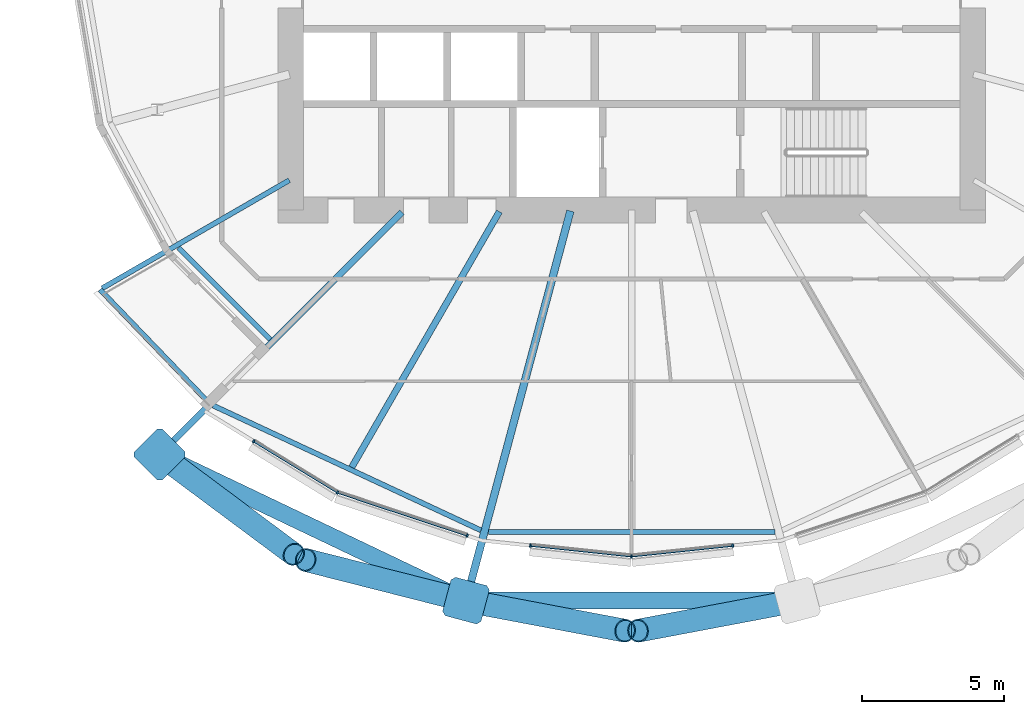
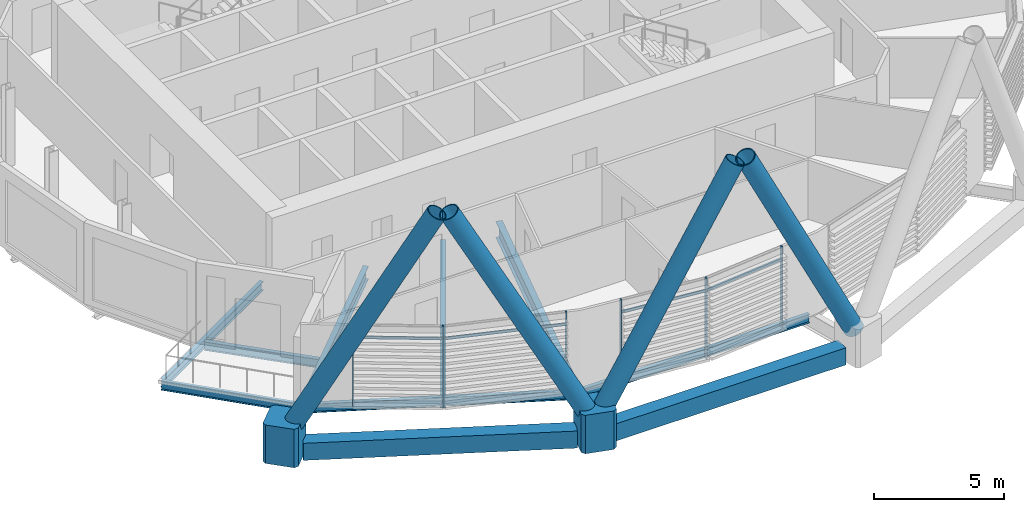
# One storey, part 3 of 34: 16 members, 10 beams, 1 element without a shape of its own.
"""IFC4 building model written with IfcOpenShell, lengths in metres."""

from ifc_helpers import new_model, si_unit, direction, frame, origin, origin_2d, place, context, subcontext, project, spatial, polyline, rectangle, hollow_rectangle, hollow_circle, i_section, outline, extrude, material, material_profile, profile_set, type_object, element, aggregate, save


model = new_model("IFC4")

# Units and contexts
model_context = context("Model", 3, precision=1e-05, world=origin(), true_north=direction((0.0, 1.0)))
body_context = subcontext(model_context, "Body", "Model", "MODEL_VIEW")
ifc_project = project(units=[si_unit("LENGTHUNIT", "METRE"), si_unit("AREAUNIT", "SQUARE_METRE"), si_unit("VOLUMEUNIT", "CUBIC_METRE"), si_unit("PLANEANGLEUNIT", "RADIAN"), si_unit("MASSUNIT", "GRAM", prefix="KILO")], contexts=[model_context])

# Site, building, storey
site_placement = place(None, origin())
site = spatial("IfcSite", under=ifc_project, at=site_placement, CompositionType="ELEMENT")
building_placement = place(site_placement, origin())
building = spatial("IfcBuilding", under=site, at=building_placement, Name="Rimbun Link Towers", CompositionType="ELEMENT")
storey_placement = place(building_placement, frame((0.0, 0.0, 41.39990234375)))
storey = spatial("IfcBuildingStorey", under=building, at=storey_placement, Name="L09", CompositionType="ELEMENT", Elevation=41.39990234375)

# Curtain wall, members
ifc_material_1 = material(Name="Aluminium 6063-T6 and low-iron glass", Category="aluminium")
curtain_wall_type = type_object("IfcCurtainWallType", Name="CW1 unitised vision wall", PredefinedType="NOTDEFINED", material=ifc_material_1)
curtain_wall_placement = place(storey_placement, origin())
curtain_wall = element("IfcCurtainWall", 1, at=curtain_wall_placement, inside=storey, type_object=curtain_wall_type, Name="CW1 L09 T1", PredefinedType="NOTDEFINED")
ifc_material_2 = material(Name="Aluminium 6063-T6", Category="aluminium")
ifc_material_profile_1 = material_profile(ifc_material_2, rectangle(XDim=0.1201171875, YDim=0.06005859375, at=origin_2d()), Name="MULLION 60X120")
ifc_profile_set_1 = profile_set([ifc_material_profile_1], Name="Aluminium 6063-T6")
member_type_1 = type_object("IfcMemberType", Name="CW1 mullion 60X120", PredefinedType="MULLION", material=ifc_profile_set_1)
member_1_placement = place(storey_placement, frame((-42.103759765625, -17.944091796875, 0.0), z_axis=(0.0, 0.0, 1.0), x_axis=(-0.421700623213, -0.906735123607, 0.0)))
member_1 = element("IfcMember", 2, at=member_1_placement, type_object=member_type_1, Name="CW1 mullion", PredefinedType="MULLION", context=body_context, shape_type="SweptSolid", body=[
    extrude(rectangle(XDim=0.1201171875, YDim=0.06005859375, at=origin_2d()), origin(), (0.0, 0.0, 1.0), 3.800048828125),
])
member_2_placement = place(storey_placement, frame((-45.047607421875, -16.136962890625, 0.0), z_axis=(0.0, 0.0, 1.0), x_axis=(-0.523240552823, -0.852185029135, 0.0)))
member_2 = element("IfcMember", 3, at=member_2_placement, type_object=member_type_1, Name="CW1 mullion", PredefinedType="MULLION", context=body_context, shape_type="SweptSolid", body=[
    extrude(rectangle(XDim=0.1201171875, YDim=0.06005859375, at=origin_2d()), origin(), (0.0, 0.0, 1.0), 3.800048828125),
])
member_3_placement = place(storey_placement, frame((-37.535888671875, -19.458251953125, 0.0), z_axis=(0.0, 0.0, 1.0), x_axis=(-0.314557949572, -0.949238271648, 0.0)))
member_3 = element("IfcMember", 4, at=member_3_placement, type_object=member_type_1, Name="CW1 mullion", PredefinedType="MULLION", context=body_context, shape_type="SweptSolid", body=[
    extrude(rectangle(XDim=0.1201171875, YDim=0.06005859375, at=origin_2d()), origin(), (0.0, 0.0, 1.0), 3.800048828125),
])
member_4_placement = place(storey_placement, frame((-31.75, -20.1865234375, 0.0), z_axis=(0.0, 0.0, 1.0), x_axis=(0.0, -1.0, 0.0)))
member_4 = element("IfcMember", 5, at=member_4_placement, type_object=member_type_1, Name="CW1 mullion", PredefinedType="MULLION", context=body_context, shape_type="SweptSolid", body=[
    extrude(rectangle(XDim=0.1201171875, YDim=0.06005859375, at=origin_2d()), origin(), (0.0, 0.0, 1.0), 3.800048828125),
])
member_5_placement = place(storey_placement, frame((-35.310546875, -19.81201171875, 0.0), z_axis=(0.0, 0.0, 1.0), x_axis=(-0.104742031783, -0.994499425228, 0.0)))
member_5 = element("IfcMember", 6, at=member_5_placement, type_object=member_type_1, Name="CW1 mullion", PredefinedType="MULLION", context=body_context, shape_type="SweptSolid", body=[
    extrude(rectangle(XDim=0.1201171875, YDim=0.06005859375, at=origin_2d()), origin(), (0.0, 0.0, 1.0), 3.800048828125),
])
member_6_placement = place(storey_placement, frame((-28.189453125, -19.81201171875, 0.0), z_axis=(0.0, 0.0, 1.0), x_axis=(0.104742031783, -0.994499425228, 0.0)))
member_6 = element("IfcMember", 7, at=member_6_placement, type_object=member_type_1, Name="CW1 mullion", PredefinedType="MULLION", context=body_context, shape_type="SweptSolid", body=[
    extrude(rectangle(XDim=0.1201171875, YDim=0.06005859375, at=origin_2d()), origin(), (0.0, 0.0, 1.0), 3.800048828125),
])
ifc_material_3 = material(Name="Aluminium 6063-T6", Category="aluminium")
ifc_material_profile_2 = material_profile(ifc_material_3, rectangle(XDim=0.06005859375, YDim=0.1201171875, at=origin_2d()), Name="TRANSOM 60X120")
ifc_profile_set_2 = profile_set([ifc_material_profile_2], Name="Aluminium 6063-T6")
member_type_2 = type_object("IfcMemberType", Name="CW1 transom 60X120", PredefinedType="USERDEFINED", material=ifc_profile_set_2)
member_7_placement = place(storey_placement, frame((-42.134521484375, -17.92333984375, 3.2001953125), z_axis=(-0.852162767793, 0.523276807424, 0.0), x_axis=(-0.523276807424, -0.852162767793, 0.0)))
member_7 = element("IfcMember", 8, at=member_7_placement, type_object=member_type_2, Name="CW1 transom", ObjectType="TRANSOM", PredefinedType="USERDEFINED", context=body_context, shape_type="SweptSolid", body=[
    extrude(rectangle(XDim=0.06005859375, YDim=0.1201171875, at=origin_2d()), origin(), (0.0, 0.0, 1.0), 3.38720703125),
])
member_8_placement = place(storey_placement, frame((-37.563720703125, -19.44677734375, 3.2001953125), z_axis=(-0.94924257517, 0.314544962581, 0.0), x_axis=(-0.314544962581, -0.94924257517, 0.0)))
member_8 = element("IfcMember", 9, at=member_8_placement, type_object=member_type_2, Name="CW1 transom", ObjectType="TRANSOM", PredefinedType="USERDEFINED", context=body_context, shape_type="SweptSolid", body=[
    extrude(rectangle(XDim=0.06005859375, YDim=0.1201171875, at=origin_2d()), origin(), (0.0, 0.0, 1.0), 4.74560546875),
])
member_9_placement = place(storey_placement, frame((-31.785888671875, -20.18115234375, 3.2001953125), z_axis=(-0.994496312409, 0.104771583004, 0.0), x_axis=(-0.104771583004, -0.994496312409, 0.0)))
member_9 = element("IfcMember", 10, at=member_9_placement, type_object=member_type_2, Name="CW1 transom", ObjectType="TRANSOM", PredefinedType="USERDEFINED", context=body_context, shape_type="SweptSolid", body=[
    extrude(rectangle(XDim=0.06005859375, YDim=0.1201171875, at=origin_2d()), origin(), (0.0, 0.0, 1.0), 3.513916015625),
])
member_10_placement = place(storey_placement, frame((-28.219482421875, -19.81298828125, 3.2001953125), z_axis=(-0.994496312409, -0.104771583004, 0.0), x_axis=(0.104771583004, -0.994496312409, 0.0)))
member_10 = element("IfcMember", 11, at=member_10_placement, type_object=member_type_2, Name="CW1 transom", ObjectType="TRANSOM", PredefinedType="USERDEFINED", context=body_context, shape_type="SweptSolid", body=[
    extrude(rectangle(XDim=0.06005859375, YDim=0.1201171875, at=origin_2d()), origin(), (0.0, 0.0, 1.0), 3.513916015625),
])
aggregate(curtain_wall, [member_1, member_2, member_3, member_4, member_5, member_6, member_7, member_8, member_9, member_10])

# Members
ifc_material_4 = material(Name="Steel S460NH", Category="steel")
ifc_material_profile_3 = material_profile(ifc_material_4, hollow_circle(Radius=0.406494140625, WallThickness=0.0400390625, at=origin_2d()), Name="Diagrid diagonal CHS 813x40")
ifc_profile_set_3 = profile_set([ifc_material_profile_3], Name="Steel S460NH")
member_type_3 = type_object("IfcMemberType", Name="Diagrid diagonal CHS 813x40", PredefinedType="BRACE", material=ifc_profile_set_3)
member_11_placement = place(storey_placement, frame((-48.16455078125, -16.745361328125, 0.440673828125), z_axis=(0.379351487033, -0.282417468244, 0.881097510448), x_axis=(0.597159611982, 0.802122433184, 0.0)))
element("IfcMember", 12, at=member_11_placement, inside=storey, type_object=member_type_3, Name="Diagrid diagonal T1 L09-L12 15b", PredefinedType="BRACE", context=body_context, shape_type="SweptSolid", body=[
    extrude(hollow_circle(Radius=0.406494140625, WallThickness=0.0400390625, at=origin_2d()), origin(), (0.0, 0.0, 1.0), 11.938232421875),
])
member_12_placement = place(storey_placement, frame((-37.804443359375, -21.68994140625, 0.441650390625), z_axis=(-0.454668087389, 0.115384046346, 0.88315539525), x_axis=(-0.245979182383, -0.969275111531, 0.0)))
element("IfcMember", 13, at=member_12_placement, inside=storey, type_object=member_type_3, Name="Diagrid diagonal T1 L09-L12 17a", PredefinedType="BRACE", context=body_context, shape_type="SweptSolid", body=[
    extrude(hollow_circle(Radius=0.406494140625, WallThickness=0.0400390625, at=origin_2d()), origin(), (0.0, 0.0, 1.0), 11.908203125),
])
for number, where, z_axis, x_axis, name in (
    (14, (-37.3505859375, -21.79052734375, 0.443603515625), (0.453469931665, -0.085704189529, 0.88714137147), (0.185708785705, 0.982604827442, 0.0), "Diagrid diagonal T1 L09-L12 17b"),
    (15, (-26.1494140625, -21.79052734375, 0.443603515625), (-0.453469931665, -0.085704189529, 0.88714137147), (0.185708785705, -0.982604827442, 0.0), "Diagrid diagonal T1 L09-L12 19a"),
):
    element("IfcMember", number, at=place(storey_placement, frame(where, z_axis=z_axis, x_axis=x_axis)), inside=storey, type_object=member_type_3, Name=name, PredefinedType="BRACE", context=body_context, shape_type="SweptSolid", body=[
        extrude(hollow_circle(Radius=0.406494140625, WallThickness=0.0400390625, at=origin_2d()), origin(), (0.0, 0.0, 1.0), 11.850341796875),
    ])
ifc_material_5 = material(Name="Cast steel G20Mn5+QT, Rp0.2 300 MPa", Category="steel")
ifc_material_profile_4 = material_profile(ifc_material_5, outline(polyline([(0.699951171875, -0.570068359375), (0.699951171875, 0.570068359375), (0.570068359375, 0.699951171875), (-0.570068359375, 0.699951171875), (-0.699951171875, 0.570068359375), (-0.699951171875, -0.570068359375), (-0.570068359375, -0.699951171875), (0.570068359375, -0.699951171875), (0.699951171875, -0.570068359375)])), Name="NODE 1400x1400")
ifc_profile_set_4 = profile_set([ifc_material_profile_4], Name="Cast steel G20Mn5+QT, Rp0.2 300 MPa")
member_type_4 = type_object("IfcMemberType", Name="Diagrid node cast 1400", PredefinedType="USERDEFINED", material=ifc_profile_set_4)
for number, where, z_axis, x_axis, name in (
    (16, (-48.354248046875, -16.604248046875, -0.89990234375), (0.0, 0.0, 1.0), (-0.707106781187, -0.707106781187, 0.0), "Diagrid node L09 15"),
    (17, (-37.5771484375, -21.74755859375, -0.89990234375), (0.0, 0.0, 1.0), (-0.258819045103, -0.965925826289, 0.0), "Diagrid node L09 17"),
):
    element("IfcMember", number, at=place(storey_placement, frame(where, z_axis=z_axis, x_axis=x_axis)), inside=storey, type_object=member_type_4, Name=name, ObjectType="Diagrid node", PredefinedType="USERDEFINED", context=body_context, shape_type="SweptSolid", body=[
        extrude(outline(polyline([(0.699951171875, -0.570068359375), (0.699951171875, 0.570068359375), (0.570068359375, 0.699951171875), (-0.570068359375, 0.699951171875), (-0.699951171875, 0.570068359375), (-0.699951171875, -0.570068359375), (-0.570068359375, -0.699951171875), (0.570068359375, -0.699951171875), (0.699951171875, -0.570068359375)])), origin(), (0.0, 0.0, 1.0), 1.800048828125),
    ])

# Beams
ifc_material_6 = material(Name="Steel S355J2", Category="steel")
ifc_material_profile_5 = material_profile(ifc_material_6, hollow_rectangle(XDim=0.60009765625, YDim=0.800048828125, WallThickness=0.0400390625, at=origin_2d()), Name="Exoskeleton ring girder BOX 600x800x40")
ifc_profile_set_5 = profile_set([ifc_material_profile_5], Name="Steel S355J2")
beam_type_1 = type_object("IfcBeamType", Name="Exoskeleton ring girder BOX 600x800x40", PredefinedType="BEAM", material=ifc_profile_set_5)
beam_1_placement = place(storey_placement, frame((-47.722412109375, -16.90576171875, -0.559814453125), z_axis=(0.90248901757, -0.430712866265, 0.0), x_axis=(0.430712866265, 0.90248901757, 0.0)))
element("IfcBeam", 18, at=beam_1_placement, inside=storey, type_object=beam_type_1, Name="Exoskeleton ring girder L09 05", PredefinedType="BEAM", context=body_context, shape_type="SweptSolid", body=[
    extrude(hollow_rectangle(XDim=0.60009765625, YDim=0.800048828125, WallThickness=0.0400390625, at=origin_2d()), origin(), (0.0, 0.0, 1.0), 10.541259765625),
])
beam_2_placement = place(storey_placement, frame((-36.877197265625, -21.74755859375, -0.559814453125), z_axis=(1.0, 0.0, 0.0), x_axis=(0.0, 1.0, 0.0)))
element("IfcBeam", 19, at=beam_2_placement, inside=storey, type_object=beam_type_1, Name="Exoskeleton ring girder L09 06", PredefinedType="BEAM", context=body_context, shape_type="SweptSolid", body=[
    extrude(hollow_rectangle(XDim=0.60009765625, YDim=0.800048828125, WallThickness=0.0400390625, at=origin_2d()), origin(), (0.0, 0.0, 1.0), 10.25439453125),
])
ifc_material_7 = material(Name="Steel S355J2", Category="steel")
ifc_material_profile_6 = material_profile(ifc_material_7, i_section(OverallWidth=0.177978515625, OverallDepth=0.406494140625, WebThickness=0.0078125, FlangeThickness=0.0126953125, at=origin_2d()), Name="UB 406x178x60")
ifc_profile_set_6 = profile_set([ifc_material_profile_6], Name="Steel S355J2")
beam_type_2 = type_object("IfcBeamType", Name="UB 406x178x60", PredefinedType="BEAM", material=ifc_profile_set_6)
beam_3_placement = place(storey_placement, frame((-43.79541015625, -6.954345703125, -0.363037109375), z_axis=(-0.866024000778, -0.50000243007, 0.0), x_axis=(0.50000243007, -0.866024000778, 0.0)))
element("IfcBeam", 20, at=beam_3_placement, inside=storey, type_object=beam_type_2, Name="Radial beam T1 L09 14", PredefinedType="BEAM", context=body_context, shape_type="SweptSolid", body=[
    extrude(i_section(OverallWidth=0.177978515625, OverallDepth=0.406494140625, WebThickness=0.0078125, FlangeThickness=0.0126953125, at=origin_2d()), origin(), (0.0, 0.0, 1.0), 7.5986328125),
])
beam_4_placement = place(storey_placement, frame((-47.68798828125, -9.33203125, -0.363037109375), z_axis=(0.706329402712, -0.707883305965, 0.0), x_axis=(0.707883305965, 0.706329402712, 0.0)))
element("IfcBeam", 21, at=beam_4_placement, inside=storey, type_object=beam_type_2, Name="Edge beam T1 L09 14 recess", PredefinedType="BEAM", context=body_context, shape_type="SweptSolid", body=[
    extrude(i_section(OverallWidth=0.177978515625, OverallDepth=0.406494140625, WebThickness=0.0078125, FlangeThickness=0.0126953125, at=origin_2d()), origin(), (0.0, 0.0, 1.0), 4.556396484375),
])
beam_5_placement = place(storey_placement, frame((-50.45556640625, -10.80078125, -0.363037109375), z_axis=(0.692986597683, -0.720950466698, 0.0), x_axis=(0.720950466698, 0.692986597683, 0.0)))
element("IfcBeam", 22, at=beam_5_placement, inside=storey, type_object=beam_type_2, Name="Edge beam T1 L09 14 terrace", PredefinedType="BEAM", context=body_context, shape_type="SweptSolid", body=[
    extrude(i_section(OverallWidth=0.177978515625, OverallDepth=0.406494140625, WebThickness=0.0078125, FlangeThickness=0.0126953125, at=origin_2d()), origin(), (0.0, 0.0, 1.0), 5.47412109375),
])
beam_6_placement = place(storey_placement, frame((-46.470703125, -14.883056640625, -0.363037109375), z_axis=(0.906396127139, -0.422428764062, 0.0), x_axis=(0.422428764062, 0.906396127139, 0.0)))
element("IfcBeam", 23, at=beam_6_placement, inside=storey, type_object=beam_type_2, Name="Edge beam T1 L09 15-17", PredefinedType="BEAM", context=body_context, shape_type="SweptSolid", body=[
    extrude(i_section(OverallWidth=0.177978515625, OverallDepth=0.406494140625, WebThickness=0.0078125, FlangeThickness=0.0126953125, at=origin_2d()), origin(), (0.0, 0.0, 1.0), 10.390380859375),
])
beam_7_placement = place(storey_placement, frame((-36.790283203125, -19.32958984375, -0.363037109375), z_axis=(1.0, 0.0, 0.0), x_axis=(0.0, 1.0, 0.0)))
element("IfcBeam", 24, at=beam_7_placement, inside=storey, type_object=beam_type_2, Name="Edge beam T1 L09 17-19", PredefinedType="BEAM", context=body_context, shape_type="SweptSolid", body=[
    extrude(i_section(OverallWidth=0.177978515625, OverallDepth=0.406494140625, WebThickness=0.0078125, FlangeThickness=0.0126953125, at=origin_2d()), origin(), (0.0, 0.0, 1.0), 10.08056640625),
])
ifc_material_8 = material(Name="Steel S355J2", Category="steel")
ifc_material_profile_7 = material_profile(ifc_material_8, i_section(OverallWidth=0.2275390625, OverallDepth=0.6025390625, WebThickness=0.010498046875, FlangeThickness=0.014892578125, at=origin_2d()), Name="UB 610x229x101")
ifc_profile_set_7 = profile_set([ifc_material_profile_7], Name="Steel S355J2")
beam_type_3 = type_object("IfcBeamType", Name="UB 610x229x101", PredefinedType="BEAM", material=ifc_profile_set_7)
beam_8_placement = place(storey_placement, frame((-39.831298828125, -8.081298828125, -0.461181640625), z_axis=(-0.707106781187, -0.707106781187, 0.0), x_axis=(0.707106781187, -0.707106781187, 0.0)))
element("IfcBeam", 25, at=beam_8_placement, inside=storey, type_object=beam_type_3, Name="Radial beam T1 L09 15", PredefinedType="BEAM", context=body_context, shape_type="SweptSolid", body=[
    extrude(i_section(OverallWidth=0.2275390625, OverallDepth=0.6025390625, WebThickness=0.010498046875, FlangeThickness=0.014892578125, at=origin_2d()), origin(), (0.0, 0.0, 1.0), 11.552978515625),
])
beam_9_placement = place(storey_placement, frame((-36.402099609375, -8.057861328125, -0.461181640625), z_axis=(-0.499998423118, -0.866026314196, 0.0), x_axis=(0.866026314196, -0.499998423118, 0.0)))
element("IfcBeam", 26, at=beam_9_placement, inside=storey, type_object=beam_type_3, Name="Radial beam T1 L09 16", PredefinedType="BEAM", context=body_context, shape_type="SweptSolid", body=[
    extrude(i_section(OverallWidth=0.2275390625, OverallDepth=0.6025390625, WebThickness=0.010498046875, FlangeThickness=0.014892578125, at=origin_2d()), origin(), (0.0, 0.0, 1.0), 10.38916015625),
])
ifc_material_9 = material(Name="Steel S355J2", Category="steel")
ifc_material_profile_8 = material_profile(ifc_material_9, i_section(OverallWidth=0.2666015625, OverallDepth=0.76220703125, WebThickness=0.014404296875, FlangeThickness=0.021484375, at=origin_2d()), Name="UB 762x267x173")
ifc_profile_set_8 = profile_set([ifc_material_profile_8], Name="Steel S355J2")
beam_type_4 = type_object("IfcBeamType", Name="UB 762x267x173", PredefinedType="BEAM", material=ifc_profile_set_8)
beam_10_placement = place(storey_placement, frame((-33.903076171875, -8.035400390625, -0.541015625), z_axis=(-0.258813009611, -0.965927443474, 0.0), x_axis=(0.965927443474, -0.258813009611, 0.0)))
element("IfcBeam", 27, at=beam_10_placement, inside=storey, type_object=beam_type_4, Name="Radial beam T1 L09 17", PredefinedType="BEAM", context=body_context, shape_type="SweptSolid", body=[
    extrude(i_section(OverallWidth=0.2666015625, OverallDepth=0.76220703125, WebThickness=0.014404296875, FlangeThickness=0.021484375, at=origin_2d()), origin(), (0.0, 0.0, 1.0), 13.69580078125),
])

save(model, "model.ifc")
